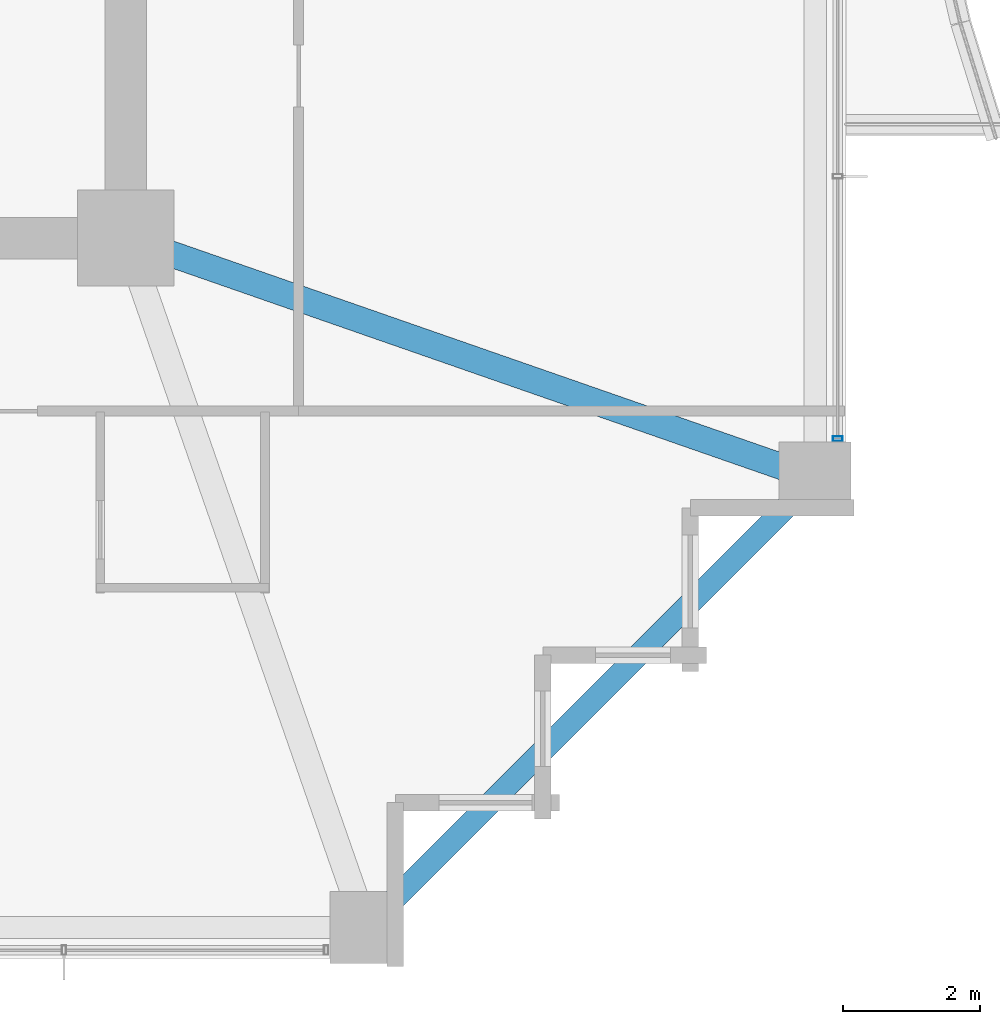
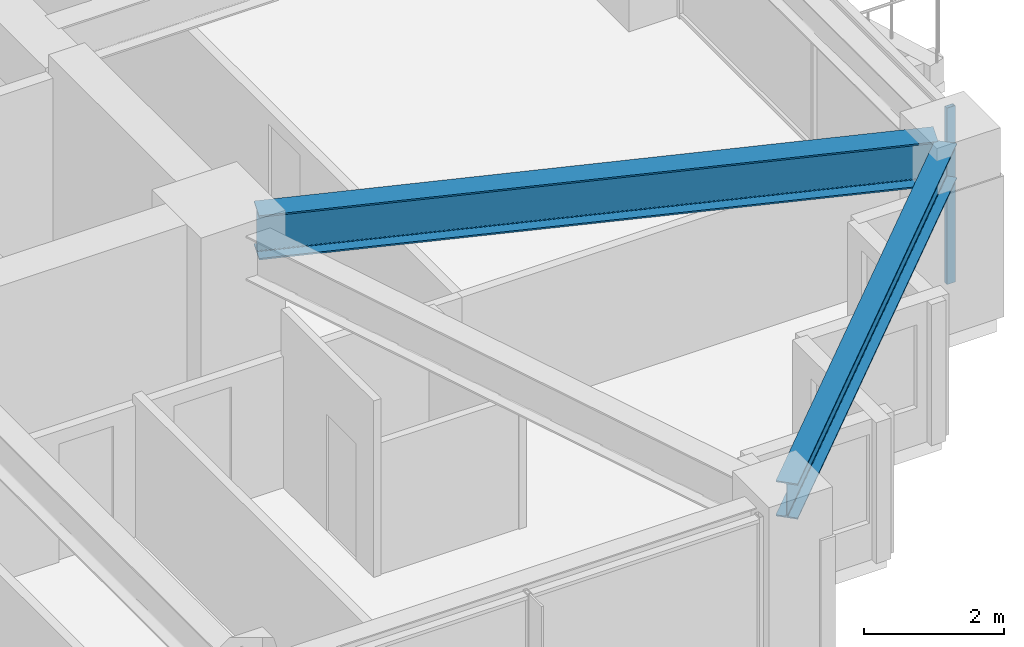
# One storey, part 13 of 36: 2 beams, 1 member, 1 element without a shape of its own.
"""IFC4 building model written with IfcOpenShell, lengths in metres."""

from ifc_helpers import new_model, si_unit, direction, frame, origin, origin_2d, place, context, subcontext, project, spatial, hollow_rectangle, i_section, extrude, material, material_profile, profile_set, type_object, element, aggregate, save


model = new_model("IFC4")

# Units and contexts
model_context = context("Model", 3, precision=1e-05, world=origin(), true_north=direction((0.0, 1.0)))
body_context = subcontext(model_context, "Body", "Model", "MODEL_VIEW")
ifc_project = project(units=[si_unit("LENGTHUNIT", "METRE"), si_unit("AREAUNIT", "SQUARE_METRE"), si_unit("VOLUMEUNIT", "CUBIC_METRE"), si_unit("PLANEANGLEUNIT", "RADIAN"), si_unit("MASSUNIT", "GRAM", prefix="KILO")], contexts=[model_context])

# Site, building, storey
site_placement = place(None, origin())
site = spatial("IfcSite", under=ifc_project, at=site_placement, CompositionType="ELEMENT")
building_placement = place(site_placement, origin())
building = spatial("IfcBuilding", under=site, at=building_placement, Name="Kolvaren Belvedere", CompositionType="ELEMENT")
storey_placement = place(building_placement, frame((0.0, 0.0, 92.0)))
storey = spatial("IfcBuildingStorey", under=building, at=storey_placement, Name="L26", CompositionType="ELEMENT", Elevation=92.0)

# Beams
ifc_material_1 = material(Name="Structural steel ASTM A992 Grade 50", Category="steel")
ifc_material_profile_1 = material_profile(ifc_material_1, i_section(OverallWidth=0.381103515625, OverallDepth=0.77294921875, WebThickness=0.0166015625, FlangeThickness=0.027099609375, FilletRadius=0.02392578125, at=origin_2d()), Name="W30X173")
ifc_profile_set_1 = profile_set([ifc_material_profile_1], Name="Structural steel ASTM A992 Grade 50")
beam_type_1 = type_object("IfcBeamType", Name="BM-GIRD-W30X173", PredefinedType="BEAM", material=ifc_profile_set_1)
beam_1_placement = place(storey_placement, frame((10.41943359375, -10.080810546875, 2.693603515625), z_axis=(0.944371408538, -0.328880894453, 0.0), x_axis=(0.328880894453, 0.944371408538, 0.0)))
element("IfcBeam", 1, at=beam_1_placement, inside=storey, type_object=beam_type_1, Name="L26 Corner Core-to-Perimeter Girder CC2-E1", PredefinedType="BEAM", context=body_context, shape_type="SweptSolid", body=[
    extrude(i_section(OverallWidth=0.381103515625, OverallDepth=0.77294921875, WebThickness=0.0166015625, FlangeThickness=0.027099609375, FilletRadius=0.02392578125, at=origin_2d()), origin(), (0.0, 0.0, 1.0), 9.882080078125),
])
ifc_material_2 = material(Name="Structural steel ASTM A992 Grade 50", Category="steel")
ifc_material_profile_2 = material_profile(ifc_material_2, i_section(OverallWidth=0.324951171875, OverallDepth=0.615966796875, WebThickness=0.013916015625, FlangeThickness=0.021484375, FilletRadius=0.02001953125, at=origin_2d()), Name="W24X117")
ifc_profile_set_2 = profile_set([ifc_material_profile_2], Name="Structural steel ASTM A992 Grade 50")
beam_type_2 = type_object("IfcBeamType", Name="BM-SPAN-W24X117", PredefinedType="SPANDREL", material=ifc_profile_set_2)
beam_2_placement = place(storey_placement, frame((13.567138671875, -19.782958984375, 2.77197265625), z_axis=(0.707106781187, 0.707106781187, 0.0), x_axis=(-0.707106781187, 0.707106781187, 0.0)))
element("IfcBeam", 2, at=beam_2_placement, inside=storey, type_object=beam_type_2, Name="L26 Perimeter Spandrel S4-E1", PredefinedType="SPANDREL", context=body_context, shape_type="SweptSolid", body=[
    extrude(i_section(OverallWidth=0.324951171875, OverallDepth=0.615966796875, WebThickness=0.013916015625, FlangeThickness=0.021484375, FilletRadius=0.02001953125, at=origin_2d()), origin(), (0.0, 0.0, 1.0), 8.79052734375),
])

# Curtain wall, member
ifc_material_3 = material(Name="Anodised pale-metal aluminium AA 6063-T6", Category="aluminium")
curtain_wall_type = type_object("IfcCurtainWallType", Name="CW-Z2-MID", PredefinedType="NOTDEFINED", material=ifc_material_3)
curtain_wall_placement = place(storey_placement, origin())
curtain_wall = element("IfcCurtainWall", 3, at=curtain_wall_placement, inside=storey, type_object=curtain_wall_type, Name="L26 Unitised Curtain Wall FCW-L26-E2-B2", PredefinedType="NOTDEFINED")
ifc_material_4 = material(Name="Anodised pale-metal aluminium AA 6063-T6", Category="aluminium")
ifc_material_profile_3 = material_profile(ifc_material_4, hollow_rectangle(XDim=0.06494140625, YDim=0.139892578125, WallThickness=0.00390625, at=origin_2d()), Name="ALU-MUL-140X65")
ifc_profile_set_3 = profile_set([ifc_material_profile_3], Name="Anodised pale-metal aluminium AA 6063-T6")
member_type = type_object("IfcMemberType", Name="CW-MUL-140", PredefinedType="MULLION", material=ifc_profile_set_3)
member_placement = place(storey_placement, frame((20.280029296875, -12.822509765625, 0.0), z_axis=(0.0, 0.0, 1.0), x_axis=(0.0, 1.0, 0.0)))
member = element("IfcMember", 4, at=member_placement, type_object=member_type, Name="FCW-L26-E2-B2 Unitised Mullion 3", PredefinedType="MULLION", context=body_context, shape_type="SweptSolid", body=[
    extrude(hollow_rectangle(XDim=0.06494140625, YDim=0.139892578125, WallThickness=0.00390625, at=origin_2d()), origin(), (0.0, 0.0, 1.0), 3.080078125),
])
aggregate(curtain_wall, [member])

save(model, "model.ifc")
